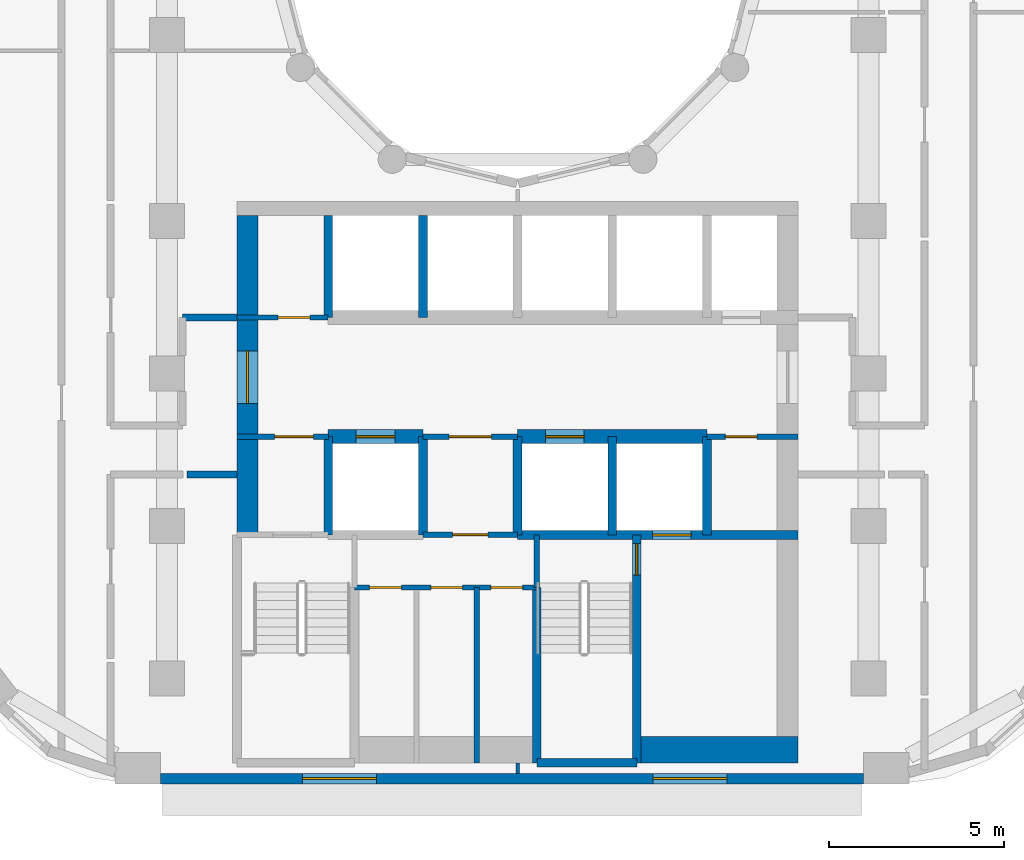
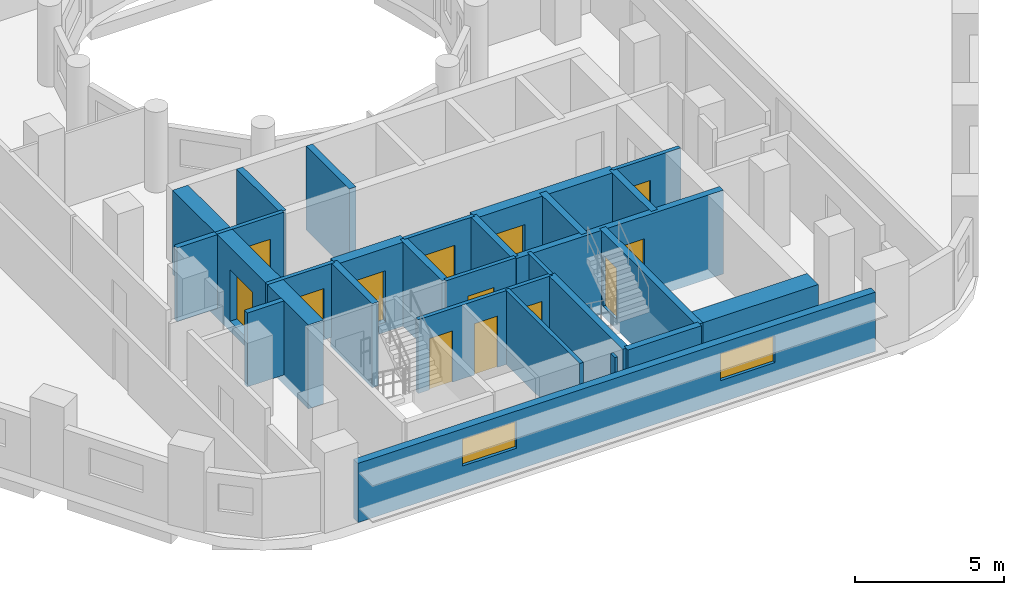
# One storey, part 3 of 14: 27 walls, 13 doors, 2 windows, 15 openings.
"""IFC4 building model written with IfcOpenShell, lengths in metres."""

from ifc_helpers import new_model, si_unit, direction, frame, frame_2d, origin, place, context, subcontext, project, spatial, rectangle, extrude, material, layer, layer_set, type_object, element, fill, save


model = new_model("IFC4")

# Units and contexts
model_context = context("Model", 3, precision=1e-05, world=origin(), true_north=direction((0.0, 1.0)))
body_context = subcontext(model_context, "Body", "Model", "MODEL_VIEW")
ifc_project = project(units=[si_unit("LENGTHUNIT", "METRE"), si_unit("AREAUNIT", "SQUARE_METRE"), si_unit("VOLUMEUNIT", "CUBIC_METRE"), si_unit("PLANEANGLEUNIT", "RADIAN"), si_unit("MASSUNIT", "GRAM", prefix="KILO")], contexts=[model_context])

# Site, building, storey
site_placement = place(None, origin())
site = spatial("IfcSite", under=ifc_project, at=site_placement, CompositionType="ELEMENT")
building_placement = place(site_placement, origin())
building = spatial("IfcBuilding", under=site, at=building_placement, Name="Nakaniwa Court", CompositionType="ELEMENT")
storey_placement = place(building_placement, frame((0.0, 0.0, 127.199951171875)))
storey = spatial("IfcBuildingStorey", under=building, at=storey_placement, Name="L32", CompositionType="ELEMENT", Elevation=127.199951171875)

# Walls
ifc_material_1 = material(Name="Acoustic double stud partition")
ifc_layer_1 = layer(ifc_material_1, 0.199951171875)
ifc_layer_set_1 = layer_set([ifc_layer_1], Name="Acoustic double stud partition")
wall_type_1 = type_object("IfcWallType", Name="Acoustic double stud partition 200", PredefinedType="PARTITIONING", material=ifc_layer_set_1)
wall_1_placement = place(storey_placement, frame((70.5771484375, 64.824951171875, 0.0), z_axis=(0.0, 0.0, 1.0), x_axis=(1.0, 0.0, 0.0)))
element("IfcWall", 1, at=wall_1_placement, inside=storey, type_object=wall_type_1, Name="Partition PW-082", PredefinedType="PARTITIONING", context=body_context, shape_type="SweptSolid", body=[
    extrude(rectangle(XDim=1.4228515625, YDim=0.199951171875, at=frame_2d((0.71142578125, 0.0))), origin(), (0.0, 0.0, 1.0), 3.025146484375),
])
wall_2_placement = place(storey_placement, frame((70.449951171875, 69.300048828125, 0.0), z_axis=(0.0, 0.0, 1.0), x_axis=(1.0, 0.0, 0.0)))
element("IfcWall", 2, at=wall_2_placement, inside=storey, type_object=wall_type_1, Name="Partition PW-098", PredefinedType="PARTITIONING", context=body_context, shape_type="SweptSolid", body=[
    extrude(rectangle(XDim=1.550048828125, YDim=0.199951171875, at=frame_2d((0.77490234375, 0.0))), origin(), (0.0, 0.0, 1.0), 3.025146484375),
])

# Wall, openings, windows
ifc_material_2 = material(Name="Charcoal ceramic cladding")
ifc_layer_2 = layer(ifc_material_2, 0.02, Name="Ceramic cladding")
ifc_material_3 = material(Name="Ventilated air cavity")
ifc_layer_3 = layer(ifc_material_3, 0.04, ventilated=True, Name="Ventilated cavity")
ifc_material_4 = material(Name="Mineral wool insulation")
ifc_layer_4 = layer(ifc_material_4, 0.1, Name="Insulation")
ifc_material_5 = material(Name="Cement bonded sheathing board")
ifc_layer_5 = layer(ifc_material_5, 0.012, Name="Sheathing")
ifc_material_6 = material(Name="Cold-formed galvanised stud frame with mineral wool infill")
ifc_layer_6 = layer(ifc_material_6, 0.1, Name="Stud frame")
ifc_material_7 = material(Name="Fire-rated gypsum plasterboard lining")
ifc_layer_7 = layer(ifc_material_7, 0.028, Name="Lining")
ifc_layer_set_2 = layer_set([ifc_layer_2, ifc_layer_3, ifc_layer_4, ifc_layer_5, ifc_layer_6, ifc_layer_7], Name="Charcoal ceramic faced external wall system")
wall_type_2 = type_object("IfcWallType", Name="Black ceramic faced external wall 300", PredefinedType="SOLIDWALL", material=ifc_layer_set_2)
wall_3_placement = place(storey_placement, frame((69.8212890625, 56.14990234375, 0.0), z_axis=(0.0, 0.0, 1.0), x_axis=(1.0, 0.0, 0.0)))
wall_3 = element("IfcWall", 3, at=wall_3_placement, inside=storey, type_object=wall_type_2, Name="L32 external wall 26", PredefinedType="SOLIDWALL", context=body_context, shape_type="SweptSolid", body=[
    extrude(rectangle(XDim=20.039794921875, YDim=0.300048828125, at=frame_2d((10.02001953125, 0.0))), origin(), (0.0, 0.0, 1.0), 2.425048828125),
])
opening_1_placement = place(wall_3_placement, frame((4.05126953125, 0.0, 0.89990234375)))
opening_1 = element("IfcOpeningElement", 4, at=opening_1_placement, cuts=wall_3, Name="Opening W7.24", PredefinedType="OPENING", context=body_context, shape_type="SweptSolid", body=[
    extrude(rectangle(XDim=2.10009765625, YDim=1.10009765625, at=frame_2d((1.050048828125, 0.550048828125))), frame((0.0, 0.159912109375, 0.0), z_axis=(0.0, -1.0, 0.0), x_axis=(1.0, 0.0, 0.0)), (0.0, 0.0, 1.0), 0.320068359375),
])
opening_2_placement = place(wall_3_placement, frame((14.047119140625, 0.0, 0.89990234375)))
opening_2 = element("IfcOpeningElement", 5, at=opening_2_placement, cuts=wall_3, Name="Opening W7.25", PredefinedType="OPENING", context=body_context, shape_type="SweptSolid", body=[
    extrude(rectangle(XDim=2.10009765625, YDim=1.10009765625, at=frame_2d((1.050048828125, 0.550048828125))), frame((0.0, 0.159912109375, 0.0), z_axis=(0.0, -1.0, 0.0), x_axis=(1.0, 0.0, 0.0)), (0.0, 0.0, 1.0), 0.320068359375),
])
ifc_material_8 = material(Name="Black anodised aluminium frame with dark low-E laminated double glazing", Category="aluminium")
window_type = type_object("IfcWindowType", Name="Dark glass window 2100x1100 sill 900", PartitioningType="SINGLE_PANEL", PredefinedType="WINDOW", material=ifc_material_8)
window_1_placement = place(opening_1_placement, origin())
window_1 = element("IfcWindow", 6, at=window_1_placement, inside=storey, type_object=window_type, Name="L32 habitable room window 26-0", OverallHeight=1.10009765625, OverallWidth=2.10009765625, PartitioningType="SINGLE_PANEL", PredefinedType="WINDOW", context=body_context, shape_type="SweptSolid", body=[
    extrude(rectangle(XDim=2.10009765625, YDim=1.10009765625, at=frame_2d((1.050048828125, 0.550048828125))), frame((0.0, 0.030029296875, 0.0), z_axis=(0.0, -1.0, 0.0), x_axis=(1.0, 0.0, 0.0)), (0.0, 0.0, 1.0), 0.06005859375),
])
fill(opening_1, window_1)
window_2_placement = place(opening_2_placement, origin())
window_2 = element("IfcWindow", 7, at=window_2_placement, inside=storey, type_object=window_type, Name="L32 habitable room window 26-1", OverallHeight=1.10009765625, OverallWidth=2.10009765625, PartitioningType="SINGLE_PANEL", PredefinedType="WINDOW", context=body_context, shape_type="SweptSolid", body=[
    extrude(rectangle(XDim=2.10009765625, YDim=1.10009765625, at=frame_2d((1.050048828125, 0.550048828125))), frame((0.0, 0.030029296875, 0.0), z_axis=(0.0, -1.0, 0.0), x_axis=(1.0, 0.0, 0.0)), (0.0, 0.0, 1.0), 0.06005859375),
])
fill(opening_2, window_2)

# Wall, opening, door
ifc_material_9 = material(Name="Blockwork partition", Category="masonry")
ifc_layer_8 = layer(ifc_material_9, 0.14990234375)
ifc_layer_set_3 = layer_set([ifc_layer_8], Name="Blockwork partition")
wall_type_3 = type_object("IfcWallType", Name="Blockwork partition 150", PredefinedType="PARTITIONING", material=ifc_layer_set_3)
wall_4_placement = place(storey_placement, frame((72.0, 69.300048828125, 0.0), z_axis=(0.0, 0.0, 1.0), x_axis=(1.0, 0.0, 0.0)))
wall_4 = element("IfcWall", 8, at=wall_4_placement, inside=storey, type_object=wall_type_3, Name="Partition PW-039", PredefinedType="PARTITIONING", context=body_context, shape_type="SweptSolid", body=[
    extrude(rectangle(XDim=2.60009765625, YDim=0.14990234375, at=frame_2d((1.300048828125, 0.0))), origin(), (0.0, 0.0, 1.0), 3.025146484375),
])
opening_3_placement = place(wall_4_placement, frame((1.175048828125, 0.0, 0.0)))
opening_3 = element("IfcOpeningElement", 9, at=opening_3_placement, cuts=wall_4, Name="Opening D-05-06", PredefinedType="OPENING", context=body_context, shape_type="SweptSolid", body=[
    extrude(rectangle(XDim=0.89990234375, YDim=2.10009765625, at=frame_2d((0.449951171875, 1.050048828125))), frame((0.0, 0.0849609375, 0.0), z_axis=(0.0, -1.0, 0.0), x_axis=(1.0, 0.0, 0.0)), (0.0, 0.0, 1.0), 0.169921875),
])
ifc_material_10 = material(Name="Fire rated steel door set", Category="steel")
door_type_1 = type_object("IfcDoorType", Name="Service room door 900", OperationType="NOTDEFINED", PredefinedType="DOOR", material=ifc_material_10)
door_1_placement = place(opening_3_placement, origin())
door_1 = element("IfcDoor", 10, at=door_1_placement, inside=storey, type_object=door_type_1, Name="Door D-05-06 L32-011", OperationType="SINGLE_SWING_RIGHT", OverallHeight=2.10009765625, OverallWidth=0.89990234375, PredefinedType="DOOR", context=body_context, shape_type="SweptSolid", body=[
    extrude(rectangle(XDim=0.89990234375, YDim=2.10009765625, at=frame_2d((0.449951171875, 1.050048828125))), frame((0.0, 0.02490234375, 0.0), z_axis=(0.0, -1.0, 0.0), x_axis=(1.0, 0.0, 0.0)), (0.0, 0.0, 1.0), 0.050048828125),
])
fill(opening_3, door_1)

wall_5_placement = place(storey_placement, frame((74.60302734375, 65.89990234375, 0.0), z_axis=(0.0, 0.0, 1.0), x_axis=(-1.0, 0.0, 0.0)))
wall_5 = element("IfcWall", 11, at=wall_5_placement, inside=storey, type_object=wall_type_3, Name="Partition PW-051", PredefinedType="PARTITIONING", context=body_context, shape_type="SweptSolid", body=[
    extrude(rectangle(XDim=2.60302734375, YDim=0.14990234375, at=frame_2d((1.301513671875, 0.0))), origin(), (0.0, 0.0, 1.0), 3.025146484375),
])
opening_4_placement = place(wall_5_placement, frame((0.427978515625, 0.0, 0.0)))
opening_4 = element("IfcOpeningElement", 12, at=opening_4_placement, cuts=wall_5, Name="Opening D-08-02", PredefinedType="OPENING", context=body_context, shape_type="SweptSolid", body=[
    extrude(rectangle(XDim=1.10009765625, YDim=2.10009765625, at=frame_2d((0.550048828125, 1.050048828125))), frame((0.0, 0.0849609375, 0.0), z_axis=(0.0, -1.0, 0.0), x_axis=(1.0, 0.0, 0.0)), (0.0, 0.0, 1.0), 0.169921875),
])
door_type_2 = type_object("IfcDoorType", Name="Stair lobby door 1100", OperationType="NOTDEFINED", PredefinedType="DOOR", material=ifc_material_10)
door_2_placement = place(opening_4_placement, origin())
door_2 = element("IfcDoor", 13, at=door_2_placement, inside=storey, type_object=door_type_2, Name="Door D-08-02 L32-012", OperationType="SINGLE_SWING_LEFT", OverallHeight=2.10009765625, OverallWidth=1.10009765625, PredefinedType="DOOR", context=body_context, shape_type="SweptSolid", body=[
    extrude(rectangle(XDim=1.10009765625, YDim=2.10009765625, at=frame_2d((0.550048828125, 1.050048828125))), frame((0.0, 0.02490234375, 0.0), z_axis=(0.0, -1.0, 0.0), x_axis=(1.0, 0.0, 0.0)), (0.0, 0.0, 1.0), 0.050048828125),
])
fill(opening_4, door_2)

wall_6_placement = place(storey_placement, frame((80.0029296875, 65.89990234375, 0.0), z_axis=(0.0, 0.0, 1.0), x_axis=(-1.0, 0.0, 0.0)))
wall_6 = element("IfcWall", 14, at=wall_6_placement, inside=storey, type_object=wall_type_3, Name="Partition PW-052", PredefinedType="PARTITIONING", context=body_context, shape_type="SweptSolid", body=[
    extrude(rectangle(XDim=2.705810546875, YDim=0.14990234375, at=frame_2d((1.35302734375, 0.0))), origin(), (0.0, 0.0, 1.0), 3.025146484375),
])
opening_5_placement = place(wall_6_placement, frame((0.7529296875, 0.0, 0.0)))
opening_5 = element("IfcOpeningElement", 15, at=opening_5_placement, cuts=wall_6, Name="Opening D-06-02", PredefinedType="OPENING", context=body_context, shape_type="SweptSolid", body=[
    extrude(rectangle(XDim=1.199951171875, YDim=2.10009765625, at=frame_2d((0.60009765625, 1.050048828125))), frame((0.0, 0.0849609375, 0.0), z_axis=(0.0, -1.0, 0.0), x_axis=(1.0, 0.0, 0.0)), (0.0, 0.0, 1.0), 0.169921875),
])
ifc_material_11 = material(Name="Fire rated steel double door set", Category="steel")
door_type_3 = type_object("IfcDoorType", Name="Service passage double door 1200", OperationType="NOTDEFINED", PredefinedType="DOOR", material=ifc_material_11)
door_3_placement = place(opening_5_placement, origin())
door_3 = element("IfcDoor", 16, at=door_3_placement, inside=storey, type_object=door_type_3, Name="Door D-06-02 L32-013", OperationType="DOUBLE_DOOR_SINGLE_SWING", OverallHeight=2.10009765625, OverallWidth=1.199951171875, PredefinedType="DOOR", context=body_context, shape_type="SweptSolid", body=[
    extrude(rectangle(XDim=1.199951171875, YDim=2.10009765625, at=frame_2d((0.60009765625, 1.050048828125))), frame((0.0, 0.02490234375, 0.0), z_axis=(0.0, -1.0, 0.0), x_axis=(1.0, 0.0, 0.0)), (0.0, 0.0, 1.0), 0.050048828125),
])
fill(opening_5, door_3)

wall_7_placement = place(storey_placement, frame((88.0, 65.89990234375, 0.0), z_axis=(0.0, 0.0, 1.0), x_axis=(-1.0, 0.0, 0.0)))
wall_7 = element("IfcWall", 17, at=wall_7_placement, inside=storey, type_object=wall_type_3, Name="Partition PW-053", PredefinedType="PARTITIONING", context=body_context, shape_type="SweptSolid", body=[
    extrude(rectangle(XDim=2.60302734375, YDim=0.14990234375, at=frame_2d((1.301513671875, 0.0))), origin(), (0.0, 0.0, 1.0), 3.025146484375),
])
opening_6_placement = place(wall_7_placement, frame((1.175048828125, 0.0, 0.0)))
opening_6 = element("IfcOpeningElement", 18, at=opening_6_placement, cuts=wall_7, Name="Opening D-05-07", PredefinedType="OPENING", context=body_context, shape_type="SweptSolid", body=[
    extrude(rectangle(XDim=0.89990234375, YDim=2.10009765625, at=frame_2d((0.449951171875, 1.050048828125))), frame((0.0, 0.0849609375, 0.0), z_axis=(0.0, -1.0, 0.0), x_axis=(1.0, 0.0, 0.0)), (0.0, 0.0, 1.0), 0.169921875),
])
door_4_placement = place(opening_6_placement, origin())
door_4 = element("IfcDoor", 19, at=door_4_placement, inside=storey, type_object=door_type_1, Name="Door D-05-07 L32-014", OperationType="SINGLE_SWING_LEFT", OverallHeight=2.10009765625, OverallWidth=0.89990234375, PredefinedType="DOOR", context=body_context, shape_type="SweptSolid", body=[
    extrude(rectangle(XDim=0.89990234375, YDim=2.10009765625, at=frame_2d((0.449951171875, 1.050048828125))), frame((0.0, 0.02490234375, 0.0), z_axis=(0.0, -1.0, 0.0), x_axis=(1.0, 0.0, 0.0)), (0.0, 0.0, 1.0), 0.050048828125),
])
fill(opening_6, door_4)

wall_8_placement = place(storey_placement, frame((80.0, 63.10009765625, 0.0), z_axis=(0.0, 0.0, 1.0), x_axis=(-1.0, 0.0, 0.0)))
wall_8 = element("IfcWall", 20, at=wall_8_placement, inside=storey, type_object=wall_type_3, Name="Partition PW-059", PredefinedType="PARTITIONING", context=body_context, shape_type="SweptSolid", body=[
    extrude(rectangle(XDim=2.699951171875, YDim=0.14990234375, at=frame_2d((1.35009765625, 0.0))), origin(), (0.0, 0.0, 1.0), 3.025146484375),
])
opening_7_placement = place(wall_8_placement, frame((0.85009765625, 0.0, 0.0)))
opening_7 = element("IfcOpeningElement", 21, at=opening_7_placement, cuts=wall_8, Name="Opening D-23-02", PredefinedType="OPENING", context=body_context, shape_type="SweptSolid", body=[
    extrude(rectangle(XDim=1.0, YDim=2.10009765625, at=frame_2d((0.5, 1.050048828125))), frame((0.0, 0.0849609375, 0.0), z_axis=(0.0, -1.0, 0.0), x_axis=(1.0, 0.0, 0.0)), (0.0, 0.0, 1.0), 0.169921875),
])
door_type_4 = type_object("IfcDoorType", Name="Service room door 1000", OperationType="NOTDEFINED", PredefinedType="DOOR", material=ifc_material_10)
door_5_placement = place(opening_7_placement, origin())
door_5 = element("IfcDoor", 22, at=door_5_placement, inside=storey, type_object=door_type_4, Name="Door D-23-02 L32-015", OperationType="SINGLE_SWING_RIGHT", OverallHeight=2.10009765625, OverallWidth=1.0, PredefinedType="DOOR", context=body_context, shape_type="SweptSolid", body=[
    extrude(rectangle(XDim=1.0, YDim=2.10009765625, at=frame_2d((0.5, 1.050048828125))), frame((0.0, 0.02490234375, 0.0), z_axis=(0.0, -1.0, 0.0), x_axis=(1.0, 0.0, 0.0)), (0.0, 0.0, 1.0), 0.050048828125),
])
fill(opening_7, door_5)

# Wall, openings, doors
wall_9_placement = place(storey_placement, frame((80.550048828125, 61.60009765625, 0.0), z_axis=(0.0, 0.0, 1.0), x_axis=(-1.0, 0.0, 0.0)))
wall_9 = element("IfcWall", 23, at=wall_9_placement, inside=storey, type_object=wall_type_3, Name="Partition PW-070", PredefinedType="PARTITIONING", context=body_context, shape_type="SweptSolid", body=[
    extrude(rectangle(XDim=5.199951171875, YDim=0.14990234375, at=frame_2d((2.60009765625, 0.0))), origin(), (0.0, 0.0, 1.0), 3.025146484375),
])
opening_8_placement = place(wall_9_placement, frame((3.865966796875, 0.0, 0.0)))
opening_8 = element("IfcOpeningElement", 24, at=opening_8_placement, cuts=wall_9, Name="Opening D-05-08", PredefinedType="OPENING", context=body_context, shape_type="SweptSolid", body=[
    extrude(rectangle(XDim=0.89990234375, YDim=2.10009765625, at=frame_2d((0.449951171875, 1.050048828125))), frame((0.0, 0.0849609375, 0.0), z_axis=(0.0, -1.0, 0.0), x_axis=(1.0, 0.0, 0.0)), (0.0, 0.0, 1.0), 0.169921875),
])
opening_9_placement = place(wall_9_placement, frame((2.1240234375, 0.0, 0.0)))
opening_9 = element("IfcOpeningElement", 25, at=opening_9_placement, cuts=wall_9, Name="Opening D-05-09", PredefinedType="OPENING", context=body_context, shape_type="SweptSolid", body=[
    extrude(rectangle(XDim=0.89990234375, YDim=2.10009765625, at=frame_2d((0.449951171875, 1.050048828125))), frame((0.0, 0.0849609375, 0.0), z_axis=(0.0, -1.0, 0.0), x_axis=(1.0, 0.0, 0.0)), (0.0, 0.0, 1.0), 0.169921875),
])
opening_10_placement = place(wall_9_placement, frame((0.407958984375, 0.0, 0.0)))
opening_10 = element("IfcOpeningElement", 26, at=opening_10_placement, cuts=wall_9, Name="Opening D-05-10", PredefinedType="OPENING", context=body_context, shape_type="SweptSolid", body=[
    extrude(rectangle(XDim=0.89990234375, YDim=2.10009765625, at=frame_2d((0.449951171875, 1.050048828125))), frame((0.0, 0.0849609375, 0.0), z_axis=(0.0, -1.0, 0.0), x_axis=(1.0, 0.0, 0.0)), (0.0, 0.0, 1.0), 0.169921875),
])
door_6_placement = place(opening_8_placement, origin())
door_6 = element("IfcDoor", 27, at=door_6_placement, inside=storey, type_object=door_type_1, Name="Door D-05-08 L32-016", OperationType="SINGLE_SWING_LEFT", OverallHeight=2.10009765625, OverallWidth=0.89990234375, PredefinedType="DOOR", context=body_context, shape_type="SweptSolid", body=[
    extrude(rectangle(XDim=0.89990234375, YDim=2.10009765625, at=frame_2d((0.449951171875, 1.050048828125))), frame((0.0, 0.02490234375, 0.0), z_axis=(0.0, -1.0, 0.0), x_axis=(1.0, 0.0, 0.0)), (0.0, 0.0, 1.0), 0.050048828125),
])
fill(opening_8, door_6)
door_7_placement = place(opening_9_placement, origin())
door_7 = element("IfcDoor", 28, at=door_7_placement, inside=storey, type_object=door_type_1, Name="Door D-05-09 L32-017", OperationType="SINGLE_SWING_RIGHT", OverallHeight=2.10009765625, OverallWidth=0.89990234375, PredefinedType="DOOR", context=body_context, shape_type="SweptSolid", body=[
    extrude(rectangle(XDim=0.89990234375, YDim=2.10009765625, at=frame_2d((0.449951171875, 1.050048828125))), frame((0.0, 0.02490234375, 0.0), z_axis=(0.0, -1.0, 0.0), x_axis=(1.0, 0.0, 0.0)), (0.0, 0.0, 1.0), 0.050048828125),
])
fill(opening_9, door_7)
door_8_placement = place(opening_10_placement, origin())
door_8 = element("IfcDoor", 29, at=door_8_placement, inside=storey, type_object=door_type_1, Name="Door D-05-10 L32-018", OperationType="SINGLE_SWING_LEFT", OverallHeight=2.10009765625, OverallWidth=0.89990234375, PredefinedType="DOOR", context=body_context, shape_type="SweptSolid", body=[
    extrude(rectangle(XDim=0.89990234375, YDim=2.10009765625, at=frame_2d((0.449951171875, 1.050048828125))), frame((0.0, 0.02490234375, 0.0), z_axis=(0.0, -1.0, 0.0), x_axis=(1.0, 0.0, 0.0)), (0.0, 0.0, 1.0), 0.050048828125),
])
fill(opening_10, door_8)

# Wall
wall_10_placement = place(storey_placement, frame((78.833984375, 56.60009765625, 0.0), z_axis=(0.0, 0.0, 1.0), x_axis=(0.0, 1.0, 0.0)))
element("IfcWall", 30, at=wall_10_placement, inside=storey, type_object=wall_type_3, Name="Partition PW-072", PredefinedType="PARTITIONING", context=body_context, shape_type="SweptSolid", body=[
    extrude(rectangle(XDim=5.0, YDim=0.14990234375, at=frame_2d((2.5, 0.0))), origin(), (0.0, 0.0, 1.0), 3.025146484375),
])

# Wall, opening, door
ifc_material_12 = material(Name="Concrete C80/100", Category="concrete")
ifc_layer_9 = layer(ifc_material_12, 0.60009765625)
ifc_layer_set_4 = layer_set([ifc_layer_9], Name="Concrete C80/100")
wall_type_4 = type_object("IfcWallType", Name="Concrete core side wall 600 C80", PredefinedType="SHEAR", material=ifc_layer_set_4)
wall_11_placement = place(storey_placement, frame((72.300048828125, 63.10009765625, -0.409912109375), z_axis=(0.0, 0.0, 1.0), x_axis=(0.0, 1.0, 0.0)))
wall_11 = element("IfcWall", 31, at=wall_11_placement, inside=storey, type_object=wall_type_4, Name="Core wall SW-40", PredefinedType="SHEAR", context=body_context, shape_type="SweptSolid", body=[
    extrude(rectangle(XDim=9.099853515625, YDim=0.60009765625, at=frame_2d((4.5498046875, 0.0))), origin(), (0.0, 0.0, 1.0), 3.43505859375),
])
opening_11_placement = place(wall_11_placement, frame((3.748046875, 0.0, 0.409912109375)))
opening_11 = element("IfcOpeningElement", 32, at=opening_11_placement, cuts=wall_11, Name="Opening D-07-04", PredefinedType="OPENING", context=body_context, shape_type="SweptSolid", body=[
    extrude(rectangle(XDim=1.5, YDim=2.10009765625, at=frame_2d((0.75, 1.050048828125))), frame((0.0, 0.31005859375, 0.0), z_axis=(0.0, -1.0, 0.0), x_axis=(1.0, 0.0, 0.0)), (0.0, 0.0, 1.0), 0.6201171875),
])
ifc_material_13 = material(Name="Glazed fire rated steel double door set", Category="steel")
door_type_5 = type_object("IfcDoorType", Name="Lobby double door 1500", OperationType="NOTDEFINED", PredefinedType="DOOR", material=ifc_material_13)
door_9_placement = place(opening_11_placement, origin())
door_9 = element("IfcDoor", 33, at=door_9_placement, inside=storey, type_object=door_type_5, Name="Door D-07-04 L32-050", OperationType="DOUBLE_DOOR_SINGLE_SWING", OverallHeight=2.10009765625, OverallWidth=1.5, PredefinedType="DOOR", context=body_context, shape_type="SweptSolid", body=[
    extrude(rectangle(XDim=1.5, YDim=2.10009765625, at=frame_2d((0.75, 1.050048828125))), frame((0.0, 0.02490234375, 0.0), z_axis=(0.0, -1.0, 0.0), x_axis=(1.0, 0.0, 0.0)), (0.0, 0.0, 1.0), 0.050048828125),
])
fill(opening_11, door_9)

ifc_layer_10 = layer(ifc_material_12, 0.39990234375)
ifc_layer_set_5 = layer_set([ifc_layer_10], Name="Concrete C80/100")
wall_type_5 = type_object("IfcWallType", Name="Concrete core spine wall 400 C80", PredefinedType="SHEAR", material=ifc_layer_set_5)
wall_12_placement = place(storey_placement, frame((74.596923828125, 65.89990234375, -0.409912109375), z_axis=(0.0, 0.0, 1.0), x_axis=(1.0, 0.0, 0.0)))
wall_12 = element("IfcWall", 34, at=wall_12_placement, inside=storey, type_object=wall_type_5, Name="Core wall SW-54", PredefinedType="SHEAR", context=body_context, shape_type="SweptSolid", body=[
    extrude(rectangle(XDim=2.7060546875, YDim=0.39990234375, at=frame_2d((1.35302734375, 0.0))), origin(), (0.0, 0.0, 1.0), 3.43505859375),
])
opening_12_placement = place(wall_12_placement, frame((0.802978515625, 0.0, 0.409912109375)))
opening_12 = element("IfcOpeningElement", 35, at=opening_12_placement, cuts=wall_12, Name="Opening LD06", PredefinedType="OPENING", context=body_context, shape_type="SweptSolid", body=[
    extrude(rectangle(XDim=1.10009765625, YDim=2.10009765625, at=frame_2d((0.550048828125, 1.050048828125))), frame((0.0, 0.2099609375, 0.0), z_axis=(0.0, -1.0, 0.0), x_axis=(1.0, 0.0, 0.0)), (0.0, 0.0, 1.0), 0.419921875),
])
ifc_material_14 = material(Name="Stainless steel sliding lift landing door", Category="steel")
door_type_6 = type_object("IfcDoorType", Name="Lift landing door 1100", OperationType="NOTDEFINED", PredefinedType="DOOR", material=ifc_material_14)
door_10_placement = place(opening_12_placement, origin())
door_10 = element("IfcDoor", 36, at=door_10_placement, inside=storey, type_object=door_type_6, Name="Lift landing door LD06 L32-006", OperationType="SLIDING_TO_LEFT", OverallHeight=2.10009765625, OverallWidth=1.10009765625, PredefinedType="DOOR", context=body_context, shape_type="SweptSolid", body=[
    extrude(rectangle(XDim=1.10009765625, YDim=2.10009765625, at=frame_2d((0.550048828125, 1.050048828125))), frame((0.0, 0.02490234375, 0.0), z_axis=(0.0, -1.0, 0.0), x_axis=(1.0, 0.0, 0.0)), (0.0, 0.0, 1.0), 0.050048828125),
])
fill(opening_12, door_10)

wall_13_placement = place(storey_placement, frame((79.9970703125, 65.89990234375, -0.409912109375), z_axis=(0.0, 0.0, 1.0), x_axis=(1.0, 0.0, 0.0)))
wall_13 = element("IfcWall", 37, at=wall_13_placement, inside=storey, type_object=wall_type_5, Name="Core wall SW-55", PredefinedType="SHEAR", context=body_context, shape_type="SweptSolid", body=[
    extrude(rectangle(XDim=5.406005859375, YDim=0.39990234375, at=frame_2d((2.703125, 0.0))), origin(), (0.0, 0.0, 1.0), 3.43505859375),
])
opening_13_placement = place(wall_13_placement, frame((0.802978515625, 0.0, 0.409912109375)))
opening_13 = element("IfcOpeningElement", 38, at=opening_13_placement, cuts=wall_13, Name="Opening LD07", PredefinedType="OPENING", context=body_context, shape_type="SweptSolid", body=[
    extrude(rectangle(XDim=1.10009765625, YDim=2.10009765625, at=frame_2d((0.550048828125, 1.050048828125))), frame((0.0, 0.2099609375, 0.0), z_axis=(0.0, -1.0, 0.0), x_axis=(1.0, 0.0, 0.0)), (0.0, 0.0, 1.0), 0.419921875),
])
door_11_placement = place(opening_13_placement, origin())
door_11 = element("IfcDoor", 39, at=door_11_placement, inside=storey, type_object=door_type_6, Name="Lift landing door LD07 L32-007", OperationType="SLIDING_TO_LEFT", OverallHeight=2.10009765625, OverallWidth=1.10009765625, PredefinedType="DOOR", context=body_context, shape_type="SweptSolid", body=[
    extrude(rectangle(XDim=1.10009765625, YDim=2.10009765625, at=frame_2d((0.550048828125, 1.050048828125))), frame((0.0, 0.02490234375, 0.0), z_axis=(0.0, -1.0, 0.0), x_axis=(1.0, 0.0, 0.0)), (0.0, 0.0, 1.0), 0.050048828125),
])
fill(opening_13, door_11)

# Walls
ifc_layer_11 = layer(ifc_material_12, 0.14990234375)
ifc_layer_set_6 = layer_set([ifc_layer_11], Name="Concrete C80/100")
wall_type_6 = type_object("IfcWallType", Name="Concrete core wall 150 C80", PredefinedType="SHEAR", material=ifc_layer_set_6)
wall_14_placement = place(storey_placement, frame((80.550048828125, 61.596923828125, -0.409912109375), z_axis=(0.0, 0.0, 1.0), x_axis=(0.0, 1.0, 0.0)))
element("IfcWall", 40, at=wall_14_placement, inside=storey, type_object=wall_type_6, Name="Core wall SW-66", PredefinedType="SHEAR", context=body_context, shape_type="SweptSolid", body=[
    extrude(rectangle(XDim=1.503173828125, YDim=0.14990234375, at=frame_2d((0.75146484375, 0.0))), origin(), (0.0, 0.0, 1.0), 3.43505859375),
])
ifc_layer_12 = layer(ifc_material_12, 0.25)
ifc_layer_set_7 = layer_set([ifc_layer_12], Name="Concrete C80/100")
wall_type_7 = type_object("IfcWallType", Name="Concrete core wall 250 C80", PredefinedType="SHEAR", material=ifc_layer_set_7)
wall_15_placement = place(storey_placement, frame((80.550048828125, 56.60009765625, 0.0), z_axis=(0.0, 0.0, 1.0), x_axis=(1.0, 0.0, 0.0)))
element("IfcWall", 41, at=wall_15_placement, inside=storey, type_object=wall_type_7, Name="Core wall SW-64", PredefinedType="SHEAR", context=body_context, shape_type="SweptSolid", body=[
    extrude(rectangle(XDim=2.849853515625, YDim=0.25, at=frame_2d((1.4248046875, 0.0))), origin(), (0.0, 0.0, 1.0), 3.025146484375),
])
ifc_layer_13 = layer(ifc_material_12, 0.75)
ifc_layer_set_8 = layer_set([ifc_layer_13], Name="Concrete C80/100")
wall_type_8 = type_object("IfcWallType", Name="Concrete core wall 750 C80", PredefinedType="SHEAR", material=ifc_layer_set_8)
wall_16_placement = place(storey_placement, frame((83.39990234375, 56.97509765625, -0.409912109375), z_axis=(0.0, 0.0, 1.0), x_axis=(1.0, 0.0, 0.0)))
element("IfcWall", 42, at=wall_16_placement, inside=storey, type_object=wall_type_8, Name="Core wall SW-69", PredefinedType="SHEAR", context=body_context, shape_type="SweptSolid", body=[
    extrude(rectangle(XDim=4.60009765625, YDim=0.75, at=frame_2d((2.300048828125, 0.0))), origin(), (0.0, 0.0, 1.0), 3.43505859375),
])
ifc_layer_14 = layer(ifc_material_12, 0.25)
ifc_layer_set_9 = layer_set([ifc_layer_14], Name="Concrete C80/100")
wall_type_9 = type_object("IfcWallType", Name="Concrete shaft wall 250 C80", PredefinedType="SHEAR", material=ifc_layer_set_9)
wall_17_placement = place(storey_placement, frame((74.60009765625, 63.10009765625, -0.409912109375), z_axis=(0.0, 0.0, 1.0), x_axis=(0.0, 1.0, 0.0)))
element("IfcWall", 43, at=wall_17_placement, inside=storey, type_object=wall_type_9, Name="Core wall SW-37", PredefinedType="SHEAR", context=body_context, shape_type="SweptSolid", body=[
    extrude(rectangle(XDim=2.7998046875, YDim=0.25, at=frame_2d((1.39990234375, 0.0))), origin(), (0.0, 0.0, 1.0), 3.43505859375),
])
wall_18_placement = place(storey_placement, frame((74.60009765625, 69.300048828125, -0.409912109375), z_axis=(0.0, 0.0, 1.0), x_axis=(0.0, 1.0, 0.0)))
element("IfcWall", 44, at=wall_18_placement, inside=storey, type_object=wall_type_9, Name="Core wall SW-38", PredefinedType="SHEAR", context=body_context, shape_type="SweptSolid", body=[
    extrude(rectangle(XDim=2.89990234375, YDim=0.25, at=frame_2d((1.449951171875, 0.0))), origin(), (0.0, 0.0, 1.0), 3.43505859375),
])
wall_19_placement = place(storey_placement, frame((77.300048828125, 63.10009765625, -0.409912109375), z_axis=(0.0, 0.0, 1.0), x_axis=(0.0, 1.0, 0.0)))
element("IfcWall", 45, at=wall_19_placement, inside=storey, type_object=wall_type_9, Name="Core wall SW-41", PredefinedType="SHEAR", context=body_context, shape_type="SweptSolid", body=[
    extrude(rectangle(XDim=2.7998046875, YDim=0.25, at=frame_2d((1.39990234375, 0.0))), origin(), (0.0, 0.0, 1.0), 3.43505859375),
])
wall_20_placement = place(storey_placement, frame((77.300048828125, 69.300048828125, -0.409912109375), z_axis=(0.0, 0.0, 1.0), x_axis=(0.0, 1.0, 0.0)))
element("IfcWall", 46, at=wall_20_placement, inside=storey, type_object=wall_type_9, Name="Core wall SW-42", PredefinedType="SHEAR", context=body_context, shape_type="SweptSolid", body=[
    extrude(rectangle(XDim=2.89990234375, YDim=0.25, at=frame_2d((1.449951171875, 0.0))), origin(), (0.0, 0.0, 1.0), 3.43505859375),
])
for number, where, z_axis, x_axis, name in (
    (47, (80.0, 63.10009765625, -0.409912109375), (0.0, 0.0, 1.0), (0.0, 1.0, 0.0), "Core wall SW-44"),
    (48, (82.699951171875, 63.10009765625, -0.409912109375), (0.0, 0.0, 1.0), (0.0, 1.0, 0.0), "Core wall SW-46"),
    (49, (85.39990234375, 63.10009765625, -0.409912109375), (0.0, 0.0, 1.0), (0.0, 1.0, 0.0), "Core wall SW-48"),
):
    element("IfcWall", number, at=place(storey_placement, frame(where, z_axis=z_axis, x_axis=x_axis)), inside=storey, type_object=wall_type_9, Name=name, PredefinedType="SHEAR", context=body_context, shape_type="SweptSolid", body=[
        extrude(rectangle(XDim=2.7998046875, YDim=0.25, at=frame_2d((1.39990234375, 0.0))), origin(), (0.0, 0.0, 1.0), 3.43505859375),
    ])

# Wall, opening, door
wall_21_placement = place(storey_placement, frame((80.0, 63.10009765625, -0.409912109375), z_axis=(0.0, 0.0, 1.0), x_axis=(1.0, 0.0, 0.0)))
wall_21 = element("IfcWall", 50, at=wall_21_placement, inside=storey, type_object=wall_type_9, Name="Core wall SW-58", PredefinedType="SHEAR", context=body_context, shape_type="SweptSolid", body=[
    extrude(rectangle(XDim=8.0, YDim=0.25, at=frame_2d((4.0, 0.0))), origin(), (0.0, 0.0, 1.0), 3.43505859375),
])
opening_14_placement = place(wall_21_placement, frame((3.84912109375, 0.0, 0.409912109375)))
opening_14 = element("IfcOpeningElement", 51, at=opening_14_placement, cuts=wall_21, Name="Opening LD08", PredefinedType="OPENING", context=body_context, shape_type="SweptSolid", body=[
    extrude(rectangle(XDim=1.10009765625, YDim=2.10009765625, at=frame_2d((0.550048828125, 1.050048828125))), frame((0.0, 0.135009765625, 0.0), z_axis=(0.0, -1.0, 0.0), x_axis=(1.0, 0.0, 0.0)), (0.0, 0.0, 1.0), 0.27001953125),
])
door_12_placement = place(opening_14_placement, origin())
door_12 = element("IfcDoor", 52, at=door_12_placement, inside=storey, type_object=door_type_6, Name="Lift landing door LD08 L32-008", OperationType="SLIDING_TO_LEFT", OverallHeight=2.10009765625, OverallWidth=1.10009765625, PredefinedType="DOOR", context=body_context, shape_type="SweptSolid", body=[
    extrude(rectangle(XDim=1.10009765625, YDim=2.10009765625, at=frame_2d((0.550048828125, 1.050048828125))), frame((0.0, 0.02490234375, 0.0), z_axis=(0.0, -1.0, 0.0), x_axis=(1.0, 0.0, 0.0)), (0.0, 0.0, 1.0), 0.050048828125),
])
fill(opening_14, door_12)

wall_22_placement = place(storey_placement, frame((83.39990234375, 63.10009765625, -0.409912109375), z_axis=(0.0, 0.0, 1.0), x_axis=(0.0, -1.0, 0.0)))
wall_22 = element("IfcWall", 53, at=wall_22_placement, inside=storey, type_object=wall_type_9, Name="Core wall SW-65", PredefinedType="SHEAR", context=body_context, shape_type="SweptSolid", body=[
    extrude(rectangle(XDim=6.5, YDim=0.25, at=frame_2d((3.25, 0.0))), origin(), (0.0, 0.0, 1.0), 3.43505859375),
])
opening_15_placement = place(wall_22_placement, frame((0.25, 0.0, 0.409912109375)))
opening_15 = element("IfcOpeningElement", 54, at=opening_15_placement, cuts=wall_22, Name="Opening D-11-02", PredefinedType="OPENING", context=body_context, shape_type="SweptSolid", body=[
    extrude(rectangle(XDim=0.89990234375, YDim=2.10009765625, at=frame_2d((0.449951171875, 1.050048828125))), frame((0.0, 0.135009765625, 0.0), z_axis=(0.0, -1.0, 0.0), x_axis=(1.0, 0.0, 0.0)), (0.0, 0.0, 1.0), 0.27001953125),
])
door_type_7 = type_object("IfcDoorType", Name="Stair door 900", OperationType="NOTDEFINED", PredefinedType="DOOR", material=ifc_material_10)
door_13_placement = place(opening_15_placement, origin())
door_13 = element("IfcDoor", 55, at=door_13_placement, inside=storey, type_object=door_type_7, Name="Door D-11-02 L32-020", OperationType="SINGLE_SWING_RIGHT", OverallHeight=2.10009765625, OverallWidth=0.89990234375, PredefinedType="DOOR", context=body_context, shape_type="SweptSolid", body=[
    extrude(rectangle(XDim=0.89990234375, YDim=2.10009765625, at=frame_2d((0.449951171875, 1.050048828125))), frame((0.0, 0.02490234375, 0.0), z_axis=(0.0, -1.0, 0.0), x_axis=(1.0, 0.0, 0.0)), (0.0, 0.0, 1.0), 0.050048828125),
])
fill(opening_15, door_13)

# Walls
wall_23_placement = place(storey_placement, frame((80.550048828125, 56.60009765625, -0.409912109375), z_axis=(0.0, 0.0, 1.0), x_axis=(0.0, 1.0, 0.0)))
element("IfcWall", 56, at=wall_23_placement, inside=storey, type_object=wall_type_9, Name="Core wall SW-67", PredefinedType="SHEAR", context=body_context, shape_type="SweptSolid", body=[
    extrude(rectangle(XDim=5.0029296875, YDim=0.25, at=frame_2d((2.50146484375, 0.0))), origin(), (0.0, 0.0, 1.0), 3.43505859375),
])
ifc_material_15 = material(Name="Single stud plasterboard partition")
ifc_layer_15 = layer(ifc_material_15, 0.10009765625)
ifc_layer_set_10 = layer_set([ifc_layer_15], Name="Single stud plasterboard partition")
wall_type_10 = type_object("IfcWallType", Name="Single stud plasterboard partition 100", PredefinedType="PARTITIONING", material=ifc_layer_set_10)
wall_24_placement = place(storey_placement, frame((80.0, 56.300048828125, 0.0), z_axis=(0.0, 0.0, 1.0), x_axis=(0.0, 1.0, 0.0)))
element("IfcWall", 57, at=wall_24_placement, inside=storey, type_object=wall_type_10, Name="Partition PW-115", PredefinedType="PARTITIONING", context=body_context, shape_type="SweptSolid", body=[
    extrude(rectangle(XDim=0.300048828125, YDim=0.10009765625, at=frame_2d((0.14990234375, 0.0))), origin(), (0.0, 0.0, 1.0), 3.025146484375),
])

save(model, "model.ifc")
